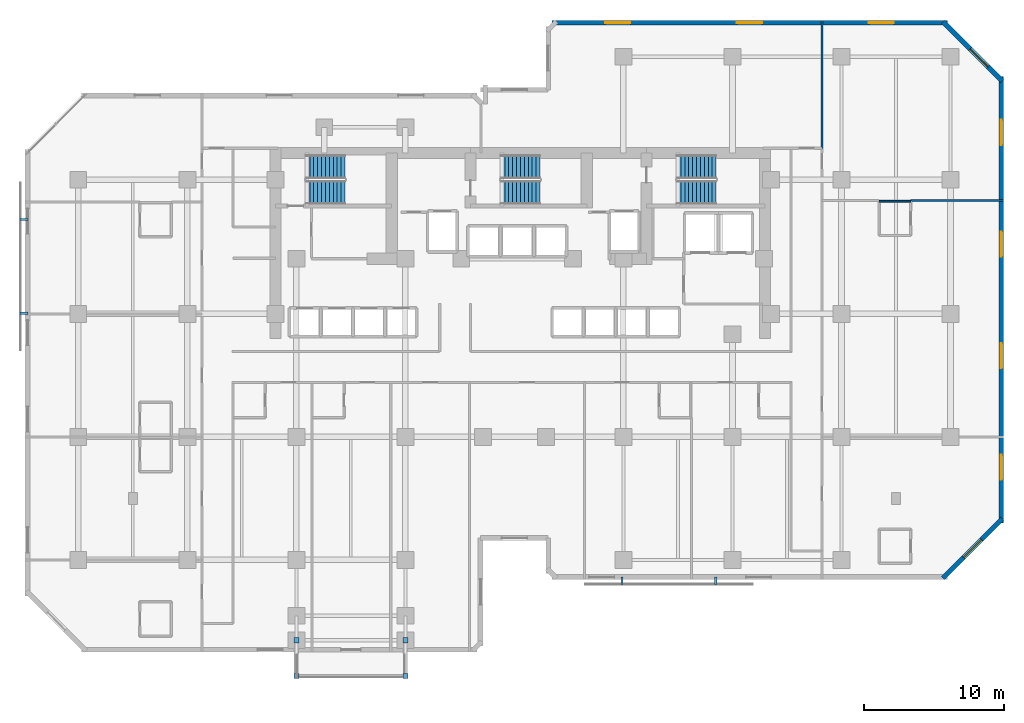
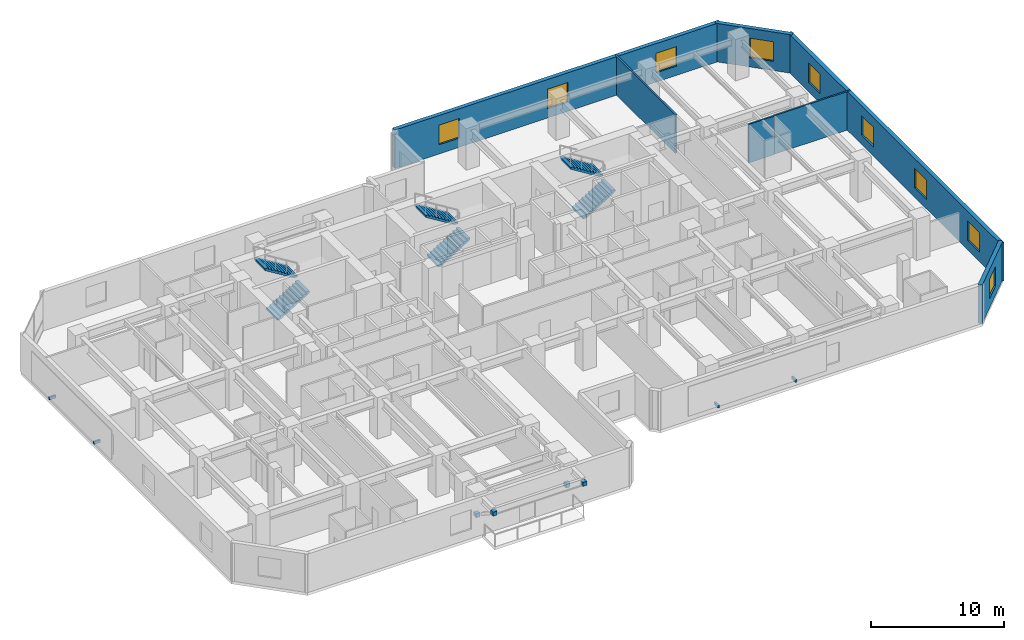
# One storey, part 10 of 12: 9 windows, 8 discrete accessories, 7 walls, 6 stair flights, 9 openings, 3 elements without a shape of their own.
"""IFC4 building model written with IfcOpenShell, lengths in metres."""

from ifc_helpers import new_model, si_unit, direction, frame, frame_2d, origin, origin_2d, place, context, subcontext, project, spatial, polyline, rectangle, outline, extrude, material, layer, layer_set, type_object, element, fill, aggregate, save


model = new_model("IFC4")

# Units and contexts
model_context = context("Model", 3, precision=1e-05, world=origin(), true_north=direction((0.0, 1.0)))
body_context = subcontext(model_context, "Body", "Model", "MODEL_VIEW")
ifc_project = project(units=[si_unit("LENGTHUNIT", "METRE"), si_unit("AREAUNIT", "SQUARE_METRE"), si_unit("VOLUMEUNIT", "CUBIC_METRE"), si_unit("PLANEANGLEUNIT", "RADIAN"), si_unit("MASSUNIT", "GRAM", prefix="KILO")], contexts=[model_context])

# Site, building, storey
site_placement = place(None, origin())
site = spatial("IfcSite", under=ifc_project, at=site_placement, CompositionType="ELEMENT")
building_placement = place(site_placement, origin())
building = spatial("IfcBuilding", under=site, at=building_placement, Name="Kestravale Grand Hotel", CompositionType="ELEMENT")
storey_placement = place(building_placement, frame((0.0, 0.0, 95.60009765625)))
storey = spatial("IfcBuildingStorey", under=building, at=storey_placement, Name="L23", CompositionType="ELEMENT", Elevation=95.60009765625)

# Wall, opening, window
ifc_material_1 = material(Name="Precast concrete f'c 45 MPa", Category="concrete")
ifc_layer_1 = layer(ifc_material_1, 0.340087890625)
ifc_layer_set_1 = layer_set([ifc_layer_1], Name="EW-PREC-340")
wall_type_1 = type_object("IfcWallType", Name="EW-PREC-340", PredefinedType="SOLIDWALL", material=ifc_layer_set_1)
wall_1_placement = place(storey_placement, frame((69.651611328125, 9.891845703125, 0.0), z_axis=(0.0, 0.0, 1.0), x_axis=(0.707106781187, 0.707106781187, 0.0)))
wall_1 = element("IfcWall", 1, at=wall_1_placement, inside=storey, type_object=wall_type_1, Name="L23 fluted precast facade wall 8", PredefinedType="SOLIDWALL", context=body_context, shape_type="SweptSolid", body=[
    extrude(rectangle(XDim=6.019775390625, YDim=0.340087890625, at=frame_2d((3.009765625, 0.0))), origin(), (0.0, 0.0, 1.0), 3.539794921875),
])
opening_1_placement = place(wall_1_placement, frame((2.10986328125, 0.0, 0.85009765625)))
opening_1 = element("IfcOpeningElement", 2, at=opening_1_placement, cuts=wall_1, Name="Opening W-GUEST-1800", PredefinedType="OPENING", context=body_context, shape_type="SweptSolid", body=[
    extrude(rectangle(XDim=1.800048828125, YDim=1.800048828125, at=frame_2d((0.89990234375, 0.89990234375))), frame((0.0, 0.179931640625, 0.0), z_axis=(0.0, -1.0, 0.0), x_axis=(1.0, 0.0, 0.0)), (0.0, 0.0, 1.0), 0.360107421875),
])
ifc_material_2 = material(Name="Insulated low-E double glazing in aluminium frame", Category="aluminium")
window_type = type_object("IfcWindowType", Name="W-GUEST-1800", PartitioningType="DOUBLE_PANEL_VERTICAL", PredefinedType="WINDOW", material=ifc_material_2)
window_1_placement = place(opening_1_placement, origin())
window_1 = element("IfcWindow", 3, at=window_1_placement, inside=storey, type_object=window_type, Name="L23 exterior window 8.1", OverallHeight=1.800048828125, OverallWidth=1.800048828125, PartitioningType="SINGLE_PANEL", PredefinedType="WINDOW", context=body_context, shape_type="SweptSolid", body=[
    extrude(rectangle(XDim=1.800048828125, YDim=1.800048828125, at=frame_2d((0.89990234375, 0.89990234375))), frame((0.0, 0.030029296875, 0.0), z_axis=(0.0, -1.0, 0.0), x_axis=(1.0, 0.0, 0.0)), (0.0, 0.0, 1.0), 0.06005859375),
])
fill(opening_1, window_1)

# Wall, openings, windows
wall_2_placement = place(storey_placement, frame((73.830078125, 13.830078125, 0.0), z_axis=(0.0, 0.0, 1.0), x_axis=(0.0, 1.0, 0.0)))
wall_2 = element("IfcWall", 4, at=wall_2_placement, inside=storey, type_object=wall_type_1, Name="L23 fluted precast facade wall 9", PredefinedType="SOLIDWALL", context=body_context, shape_type="SweptSolid", body=[
    extrude(rectangle(XDim=31.93994140625, YDim=0.340087890625, at=frame_2d((15.969970703125, 0.0))), origin(), (0.0, 0.0, 1.0), 3.539794921875),
])
opening_2_placement = place(wall_2_placement, frame((3.092529296875, 0.0, 0.85009765625)))
opening_2 = element("IfcOpeningElement", 5, at=opening_2_placement, cuts=wall_2, Name="Opening W-GUEST-1800", PredefinedType="OPENING", context=body_context, shape_type="SweptSolid", body=[
    extrude(rectangle(XDim=1.800048828125, YDim=1.800048828125, at=frame_2d((0.89990234375, 0.89990234375))), frame((0.0, 0.179931640625, 0.0), z_axis=(0.0, -1.0, 0.0), x_axis=(1.0, 0.0, 0.0)), (0.0, 0.0, 1.0), 0.360107421875),
])
opening_3_placement = place(wall_2_placement, frame((11.077392578125, 0.0, 0.85009765625)))
opening_3 = element("IfcOpeningElement", 6, at=opening_3_placement, cuts=wall_2, Name="Opening W-GUEST-1800", PredefinedType="OPENING", context=body_context, shape_type="SweptSolid", body=[
    extrude(rectangle(XDim=1.800048828125, YDim=1.800048828125, at=frame_2d((0.89990234375, 0.89990234375))), frame((0.0, 0.179931640625, 0.0), z_axis=(0.0, -1.0, 0.0), x_axis=(1.0, 0.0, 0.0)), (0.0, 0.0, 1.0), 0.360107421875),
])
opening_4_placement = place(wall_2_placement, frame((19.0625, 0.0, 0.85009765625)))
opening_4 = element("IfcOpeningElement", 7, at=opening_4_placement, cuts=wall_2, Name="Opening W-GUEST-1800", PredefinedType="OPENING", context=body_context, shape_type="SweptSolid", body=[
    extrude(rectangle(XDim=1.800048828125, YDim=1.800048828125, at=frame_2d((0.89990234375, 0.89990234375))), frame((0.0, 0.179931640625, 0.0), z_axis=(0.0, -1.0, 0.0), x_axis=(1.0, 0.0, 0.0)), (0.0, 0.0, 1.0), 0.360107421875),
])
opening_5_placement = place(wall_2_placement, frame((27.047607421875, 0.0, 0.85009765625)))
opening_5 = element("IfcOpeningElement", 8, at=opening_5_placement, cuts=wall_2, Name="Opening W-GUEST-1800", PredefinedType="OPENING", context=body_context, shape_type="SweptSolid", body=[
    extrude(rectangle(XDim=1.800048828125, YDim=1.800048828125, at=frame_2d((0.89990234375, 0.89990234375))), frame((0.0, 0.179931640625, 0.0), z_axis=(0.0, -1.0, 0.0), x_axis=(1.0, 0.0, 0.0)), (0.0, 0.0, 1.0), 0.360107421875),
])
window_2_placement = place(opening_2_placement, origin())
window_2 = element("IfcWindow", 9, at=window_2_placement, inside=storey, type_object=window_type, Name="L23 exterior window 9.1", OverallHeight=1.800048828125, OverallWidth=1.800048828125, PartitioningType="SINGLE_PANEL", PredefinedType="WINDOW", context=body_context, shape_type="SweptSolid", body=[
    extrude(rectangle(XDim=1.800048828125, YDim=1.800048828125, at=frame_2d((0.89990234375, 0.89990234375))), frame((0.0, 0.030029296875, 0.0), z_axis=(0.0, -1.0, 0.0), x_axis=(1.0, 0.0, 0.0)), (0.0, 0.0, 1.0), 0.06005859375),
])
fill(opening_2, window_2)
window_3_placement = place(opening_3_placement, origin())
window_3 = element("IfcWindow", 10, at=window_3_placement, inside=storey, type_object=window_type, Name="L23 exterior window 9.2", OverallHeight=1.800048828125, OverallWidth=1.800048828125, PartitioningType="SINGLE_PANEL", PredefinedType="WINDOW", context=body_context, shape_type="SweptSolid", body=[
    extrude(rectangle(XDim=1.800048828125, YDim=1.800048828125, at=frame_2d((0.89990234375, 0.89990234375))), frame((0.0, 0.030029296875, 0.0), z_axis=(0.0, -1.0, 0.0), x_axis=(1.0, 0.0, 0.0)), (0.0, 0.0, 1.0), 0.06005859375),
])
fill(opening_3, window_3)
window_4_placement = place(opening_4_placement, origin())
window_4 = element("IfcWindow", 11, at=window_4_placement, inside=storey, type_object=window_type, Name="L23 exterior window 9.3", OverallHeight=1.800048828125, OverallWidth=1.800048828125, PartitioningType="SINGLE_PANEL", PredefinedType="WINDOW", context=body_context, shape_type="SweptSolid", body=[
    extrude(rectangle(XDim=1.800048828125, YDim=1.800048828125, at=frame_2d((0.89990234375, 0.89990234375))), frame((0.0, 0.030029296875, 0.0), z_axis=(0.0, -1.0, 0.0), x_axis=(1.0, 0.0, 0.0)), (0.0, 0.0, 1.0), 0.06005859375),
])
fill(opening_4, window_4)
window_5_placement = place(opening_5_placement, origin())
window_5 = element("IfcWindow", 12, at=window_5_placement, inside=storey, type_object=window_type, Name="L23 exterior window 9.4", OverallHeight=1.800048828125, OverallWidth=1.800048828125, PartitioningType="SINGLE_PANEL", PredefinedType="WINDOW", context=body_context, shape_type="SweptSolid", body=[
    extrude(rectangle(XDim=1.800048828125, YDim=1.800048828125, at=frame_2d((0.89990234375, 0.89990234375))), frame((0.0, 0.030029296875, 0.0), z_axis=(0.0, -1.0, 0.0), x_axis=(1.0, 0.0, 0.0)), (0.0, 0.0, 1.0), 0.06005859375),
])
fill(opening_5, window_5)

# Wall, opening, window
wall_3_placement = place(storey_placement, frame((73.908203125, 45.451416015625, 0.0), z_axis=(0.0, 0.0, 1.0), x_axis=(-0.707106781187, 0.707106781187, 0.0)))
wall_3 = element("IfcWall", 13, at=wall_3_placement, inside=storey, type_object=wall_type_1, Name="L23 fluted precast facade wall 10", PredefinedType="SOLIDWALL", context=body_context, shape_type="SweptSolid", body=[
    extrude(rectangle(XDim=6.019775390625, YDim=0.340087890625, at=frame_2d((3.009765625, 0.0))), origin(), (0.0, 0.0, 1.0), 3.539794921875),
])
opening_6_placement = place(wall_3_placement, frame((1.4599609375, 0.0, 0.85009765625)))
opening_6 = element("IfcOpeningElement", 14, at=opening_6_placement, cuts=wall_3, Name="Opening W-GUEST-1800", PredefinedType="OPENING", context=body_context, shape_type="SweptSolid", body=[
    extrude(rectangle(XDim=1.800048828125, YDim=1.800048828125, at=frame_2d((0.89990234375, 0.89990234375))), frame((0.0, 0.179931640625, 0.0), z_axis=(0.0, -1.0, 0.0), x_axis=(1.0, 0.0, 0.0)), (0.0, 0.0, 1.0), 0.360107421875),
])
window_6_placement = place(opening_6_placement, origin())
window_6 = element("IfcWindow", 15, at=window_6_placement, inside=storey, type_object=window_type, Name="L23 exterior window 10.1", OverallHeight=1.800048828125, OverallWidth=1.800048828125, PartitioningType="SINGLE_PANEL", PredefinedType="WINDOW", context=body_context, shape_type="SweptSolid", body=[
    extrude(rectangle(XDim=1.800048828125, YDim=1.800048828125, at=frame_2d((0.89990234375, 0.89990234375))), frame((0.0, 0.030029296875, 0.0), z_axis=(0.0, -1.0, 0.0), x_axis=(1.0, 0.0, 0.0)), (0.0, 0.0, 1.0), 0.06005859375),
])
fill(opening_6, window_6)

# Wall, openings, windows
wall_4_placement = place(storey_placement, frame((69.969970703125, 49.6298828125, 0.0), z_axis=(0.0, 0.0, 1.0), x_axis=(-1.0, 0.0, 0.0)))
wall_4 = element("IfcWall", 16, at=wall_4_placement, inside=storey, type_object=wall_type_1, Name="L23 fluted precast facade wall 11", PredefinedType="SOLIDWALL", context=body_context, shape_type="SweptSolid", body=[
    extrude(rectangle(XDim=28.2900390625, YDim=0.340087890625, at=frame_2d((14.14501953125, 0.0))), origin(), (0.0, 0.0, 1.0), 3.539794921875),
])
opening_7_placement = place(wall_4_placement, frame((3.81494140625, 0.0, 0.85009765625)))
opening_7 = element("IfcOpeningElement", 17, at=opening_7_placement, cuts=wall_4, Name="Opening W-GUEST-1800", PredefinedType="OPENING", context=body_context, shape_type="SweptSolid", body=[
    extrude(rectangle(XDim=1.800048828125, YDim=1.800048828125, at=frame_2d((0.89990234375, 0.89990234375))), frame((0.0, 0.179931640625, 0.0), z_axis=(0.0, -1.0, 0.0), x_axis=(1.0, 0.0, 0.0)), (0.0, 0.0, 1.0), 0.360107421875),
])
opening_8_placement = place(wall_4_placement, frame((13.2451171875, 0.0, 0.85009765625)))
opening_8 = element("IfcOpeningElement", 18, at=opening_8_placement, cuts=wall_4, Name="Opening W-GUEST-1800", PredefinedType="OPENING", context=body_context, shape_type="SweptSolid", body=[
    extrude(rectangle(XDim=1.800048828125, YDim=1.800048828125, at=frame_2d((0.89990234375, 0.89990234375))), frame((0.0, 0.179931640625, 0.0), z_axis=(0.0, -1.0, 0.0), x_axis=(1.0, 0.0, 0.0)), (0.0, 0.0, 1.0), 0.360107421875),
])
opening_9_placement = place(wall_4_placement, frame((22.675048828125, 0.0, 0.85009765625)))
opening_9 = element("IfcOpeningElement", 19, at=opening_9_placement, cuts=wall_4, Name="Opening W-GUEST-1800", PredefinedType="OPENING", context=body_context, shape_type="SweptSolid", body=[
    extrude(rectangle(XDim=1.800048828125, YDim=1.800048828125, at=frame_2d((0.89990234375, 0.89990234375))), frame((0.0, 0.179931640625, 0.0), z_axis=(0.0, -1.0, 0.0), x_axis=(1.0, 0.0, 0.0)), (0.0, 0.0, 1.0), 0.360107421875),
])
window_7_placement = place(opening_7_placement, origin())
window_7 = element("IfcWindow", 20, at=window_7_placement, inside=storey, type_object=window_type, Name="L23 exterior window 11.1", OverallHeight=1.800048828125, OverallWidth=1.800048828125, PartitioningType="SINGLE_PANEL", PredefinedType="WINDOW", context=body_context, shape_type="SweptSolid", body=[
    extrude(rectangle(XDim=1.800048828125, YDim=1.800048828125, at=frame_2d((0.89990234375, 0.89990234375))), frame((0.0, 0.030029296875, 0.0), z_axis=(0.0, -1.0, 0.0), x_axis=(1.0, 0.0, 0.0)), (0.0, 0.0, 1.0), 0.06005859375),
])
fill(opening_7, window_7)
window_8_placement = place(opening_8_placement, origin())
window_8 = element("IfcWindow", 21, at=window_8_placement, inside=storey, type_object=window_type, Name="L23 exterior window 11.2", OverallHeight=1.800048828125, OverallWidth=1.800048828125, PartitioningType="SINGLE_PANEL", PredefinedType="WINDOW", context=body_context, shape_type="SweptSolid", body=[
    extrude(rectangle(XDim=1.800048828125, YDim=1.800048828125, at=frame_2d((0.89990234375, 0.89990234375))), frame((0.0, 0.030029296875, 0.0), z_axis=(0.0, -1.0, 0.0), x_axis=(1.0, 0.0, 0.0)), (0.0, 0.0, 1.0), 0.06005859375),
])
fill(opening_8, window_8)
window_9_placement = place(opening_9_placement, origin())
window_9 = element("IfcWindow", 22, at=window_9_placement, inside=storey, type_object=window_type, Name="L23 exterior window 11.3", OverallHeight=1.800048828125, OverallWidth=1.800048828125, PartitioningType="SINGLE_PANEL", PredefinedType="WINDOW", context=body_context, shape_type="SweptSolid", body=[
    extrude(rectangle(XDim=1.800048828125, YDim=1.800048828125, at=frame_2d((0.89990234375, 0.89990234375))), frame((0.0, 0.030029296875, 0.0), z_axis=(0.0, -1.0, 0.0), x_axis=(1.0, 0.0, 0.0)), (0.0, 0.0, 1.0), 0.06005859375),
])
fill(opening_9, window_9)

# Walls
ifc_material_3 = material(Name="Moisture-resistant tile-backer plumbing chase wall", Category="other")
ifc_layer_2 = layer(ifc_material_3, 0.139892578125)
ifc_layer_set_2 = layer_set([ifc_layer_2], Name="IW-PLB-140")
wall_type_2 = type_object("IfcWallType", Name="IW-PLB-140", PredefinedType="PLUMBINGWALL", material=ifc_layer_set_2)
wall_5_placement = place(storey_placement, frame((65.10009765625, 36.860107421875, 0.0), z_axis=(0.0, 0.0, 1.0), x_axis=(1.0, 0.0, 0.0)))
element("IfcWall", 23, at=wall_5_placement, inside=storey, type_object=wall_type_2, Name="W-L23-U10-BN", PredefinedType="PLUMBINGWALL", context=body_context, shape_type="SweptSolid", body=[
    extrude(rectangle(XDim=2.25, YDim=0.139892578125, at=frame_2d((1.125, 0.0))), origin(), (0.0, 0.0, 1.0), 3.539794921875),
])
ifc_material_4 = material(Name="Double-stud STC 52 acoustic demising partition", Category="other")
ifc_layer_3 = layer(ifc_material_4, 0.14990234375)
ifc_layer_set_3 = layer_set([ifc_layer_3], Name="IW-UNIT-150")
wall_type_3 = type_object("IfcWallType", Name="IW-UNIT-150", PredefinedType="PARTITIONING", material=ifc_layer_set_3)
wall_6_placement = place(storey_placement, frame((61.010009765625, 40.64990234375, 0.0), z_axis=(0.0, 0.0, 1.0), x_axis=(0.0, 1.0, 0.0)))
element("IfcWall", 24, at=wall_6_placement, inside=storey, type_object=wall_type_3, Name="W-L23-NGE-E", PredefinedType="PARTITIONING", context=body_context, shape_type="SweptSolid", body=[
    extrude(rectangle(XDim=9.130126953125, YDim=0.14990234375, at=frame_2d((4.56494140625, 0.0))), origin(), (0.0, 0.0, 1.0), 3.539794921875),
])
wall_7_placement = place(storey_placement, frame((67.35009765625, 36.89990234375, 0.0), z_axis=(0.0, 0.0, 1.0), x_axis=(1.0, 0.0, 0.0)))
element("IfcWall", 25, at=wall_7_placement, inside=storey, type_object=wall_type_3, Name="W-L23-EW-2", PredefinedType="PARTITIONING", context=body_context, shape_type="SweptSolid", body=[
    extrude(rectangle(XDim=6.6298828125, YDim=0.14990234375, at=frame_2d((3.31494140625, 0.0))), origin(), (0.0, 0.0, 1.0), 3.539794921875),
])

# Stair, stair flights
ifc_material_5 = material(Name="Concrete f'c 45 MPa", Category="concrete")
stair_type = type_object("IfcStairType", Name="ST-CORE-380", PredefinedType="HALF_TURN_STAIR", material=ifc_material_5)
stair_1_placement = place(storey_placement, origin())
stair_1 = element("IfcStair", 26, at=stair_1_placement, inside=storey, type_object=stair_type, Name="L23 ST-1", PredefinedType="HALF_TURN_STAIR")
ifc_material_6 = material(Name="Concrete f'c 45 MPa", Category="concrete")
stair_flight_type = type_object("IfcStairFlightType", Name="STF-CORE-380", PredefinedType="STRAIGHT", material=ifc_material_6)
stair_flight_1_placement = place(storey_placement, frame((24.080078125, 37.489990234375, 0.0), z_axis=(0.0, 0.0, 1.0), x_axis=(1.0, 0.0, 0.0)))
stair_flight_1 = element("IfcStairFlight", 27, at=stair_flight_1_placement, type_object=stair_flight_type, Name="ST-1 flight 1", NumberOfRisers=11, NumberOfTreads=10, PredefinedType="STRAIGHT", RiserHeight=0.172727273, TreadLength=0.28, context=body_context, shape_type="SweptSolid", body=[
    extrude(outline(polyline([(0.0, 0.0), (0.0, 0.172607421875), (0.280029296875, 0.172607421875), (0.280029296875, 0.345458984375), (0.56005859375, 0.345458984375), (0.56005859375, 0.51806640625), (0.840087890625, 0.51806640625), (0.840087890625, 0.69091796875), (1.1201171875, 0.69091796875), (1.1201171875, 0.863525390625), (1.39990234375, 0.863525390625), (1.39990234375, 1.036376953125), (1.679931640625, 1.036376953125), (1.679931640625, 1.208984375), (1.9599609375, 1.208984375), (1.9599609375, 1.3818359375), (2.239990234375, 1.3818359375), (2.239990234375, 1.554443359375), (2.52001953125, 1.554443359375), (2.52001953125, 1.727294921875), (2.800048828125, 1.727294921875), (2.800048828125, 1.89990234375), (2.800048828125, 1.551025390625), (0.285400390625, 0.0), (0.0, 0.0)])), frame((0.0, 0.83984375, 0.0), z_axis=(0.0, -1.0, 0.0), x_axis=(1.0, 0.0, 0.0)), (0.0, 0.0, 1.0), 1.679931640625),
])
stair_flight_2_placement = place(storey_placement, frame((26.8798828125, 39.320068359375, 1.89990234375), z_axis=(0.0, 0.0, 1.0), x_axis=(-1.0, 0.0, 0.0)))
stair_flight_2 = element("IfcStairFlight", 28, at=stair_flight_2_placement, type_object=stair_flight_type, Name="ST-1 flight 2", NumberOfRisers=11, NumberOfTreads=10, PredefinedType="STRAIGHT", RiserHeight=0.172727273, TreadLength=0.28, context=body_context, shape_type="SweptSolid", body=[
    extrude(outline(polyline([(0.0, 0.0), (0.0, 0.172607421875), (0.280029296875, 0.172607421875), (0.280029296875, 0.345458984375), (0.56005859375, 0.345458984375), (0.56005859375, 0.51806640625), (0.840087890625, 0.51806640625), (0.840087890625, 0.69091796875), (1.1201171875, 0.69091796875), (1.1201171875, 0.863525390625), (1.39990234375, 0.863525390625), (1.39990234375, 1.036376953125), (1.679931640625, 1.036376953125), (1.679931640625, 1.208984375), (1.9599609375, 1.208984375), (1.9599609375, 1.3818359375), (2.239990234375, 1.3818359375), (2.239990234375, 1.554443359375), (2.52001953125, 1.554443359375), (2.52001953125, 1.727294921875), (2.800048828125, 1.727294921875), (2.800048828125, 1.89990234375), (2.800048828125, 1.551025390625), (0.285400390625, 0.0), (0.0, 0.0)])), frame((0.0, 0.83984375, 0.0), z_axis=(0.0, -1.0, 0.0), x_axis=(1.0, 0.0, 0.0)), (0.0, 0.0, 1.0), 1.679931640625),
])
aggregate(stair_1, [stair_flight_1, stair_flight_2])

stair_2_placement = place(storey_placement, origin())
stair_2 = element("IfcStair", 29, at=stair_2_placement, inside=storey, type_object=stair_type, Name="L23 ST-2", PredefinedType="HALF_TURN_STAIR")
stair_flight_3_placement = place(storey_placement, frame((38.030029296875, 37.489990234375, 0.0), z_axis=(0.0, 0.0, 1.0), x_axis=(1.0, 0.0, 0.0)))
stair_flight_3 = element("IfcStairFlight", 30, at=stair_flight_3_placement, type_object=stair_flight_type, Name="ST-2 flight 1", NumberOfRisers=11, NumberOfTreads=10, PredefinedType="STRAIGHT", RiserHeight=0.172727273, TreadLength=0.28, context=body_context, shape_type="SweptSolid", body=[
    extrude(outline(polyline([(0.0, 0.0), (0.0, 0.172607421875), (0.280029296875, 0.172607421875), (0.280029296875, 0.345458984375), (0.56005859375, 0.345458984375), (0.56005859375, 0.51806640625), (0.840087890625, 0.51806640625), (0.840087890625, 0.69091796875), (1.1201171875, 0.69091796875), (1.1201171875, 0.863525390625), (1.39990234375, 0.863525390625), (1.39990234375, 1.036376953125), (1.679931640625, 1.036376953125), (1.679931640625, 1.208984375), (1.9599609375, 1.208984375), (1.9599609375, 1.3818359375), (2.239990234375, 1.3818359375), (2.239990234375, 1.554443359375), (2.52001953125, 1.554443359375), (2.52001953125, 1.727294921875), (2.800048828125, 1.727294921875), (2.800048828125, 1.89990234375), (2.800048828125, 1.551025390625), (0.285400390625, 0.0), (0.0, 0.0)])), frame((0.0, 0.83984375, 0.0), z_axis=(0.0, -1.0, 0.0), x_axis=(1.0, 0.0, 0.0)), (0.0, 0.0, 1.0), 1.679931640625),
])
stair_flight_4_placement = place(storey_placement, frame((40.830078125, 39.320068359375, 1.89990234375), z_axis=(0.0, 0.0, 1.0), x_axis=(-1.0, 0.0, 0.0)))
stair_flight_4 = element("IfcStairFlight", 31, at=stair_flight_4_placement, type_object=stair_flight_type, Name="ST-2 flight 2", NumberOfRisers=11, NumberOfTreads=10, PredefinedType="STRAIGHT", RiserHeight=0.172727273, TreadLength=0.28, context=body_context, shape_type="SweptSolid", body=[
    extrude(outline(polyline([(0.0, 0.0), (0.0, 0.172607421875), (0.280029296875, 0.172607421875), (0.280029296875, 0.345458984375), (0.56005859375, 0.345458984375), (0.56005859375, 0.51806640625), (0.840087890625, 0.51806640625), (0.840087890625, 0.69091796875), (1.1201171875, 0.69091796875), (1.1201171875, 0.863525390625), (1.39990234375, 0.863525390625), (1.39990234375, 1.036376953125), (1.679931640625, 1.036376953125), (1.679931640625, 1.208984375), (1.9599609375, 1.208984375), (1.9599609375, 1.3818359375), (2.239990234375, 1.3818359375), (2.239990234375, 1.554443359375), (2.52001953125, 1.554443359375), (2.52001953125, 1.727294921875), (2.800048828125, 1.727294921875), (2.800048828125, 1.89990234375), (2.800048828125, 1.551025390625), (0.285400390625, 0.0), (0.0, 0.0)])), frame((0.0, 0.83984375, 0.0), z_axis=(0.0, -1.0, 0.0), x_axis=(1.0, 0.0, 0.0)), (0.0, 0.0, 1.0), 1.679931640625),
])
aggregate(stair_2, [stair_flight_3, stair_flight_4])

stair_3_placement = place(storey_placement, origin())
stair_3 = element("IfcStair", 32, at=stair_3_placement, inside=storey, type_object=stair_type, Name="L23 ST-3", PredefinedType="HALF_TURN_STAIR")
stair_flight_5_placement = place(storey_placement, frame((50.6298828125, 37.489990234375, 0.0), z_axis=(0.0, 0.0, 1.0), x_axis=(1.0, 0.0, 0.0)))
stair_flight_5 = element("IfcStairFlight", 33, at=stair_flight_5_placement, type_object=stair_flight_type, Name="ST-3 flight 1", NumberOfRisers=11, NumberOfTreads=10, PredefinedType="STRAIGHT", RiserHeight=0.172727273, TreadLength=0.28, context=body_context, shape_type="SweptSolid", body=[
    extrude(outline(polyline([(0.0, 0.0), (0.0, 0.172607421875), (0.280029296875, 0.172607421875), (0.280029296875, 0.345458984375), (0.56005859375, 0.345458984375), (0.56005859375, 0.51806640625), (0.840087890625, 0.51806640625), (0.840087890625, 0.69091796875), (1.1201171875, 0.69091796875), (1.1201171875, 0.863525390625), (1.39990234375, 0.863525390625), (1.39990234375, 1.036376953125), (1.679931640625, 1.036376953125), (1.679931640625, 1.208984375), (1.9599609375, 1.208984375), (1.9599609375, 1.3818359375), (2.239990234375, 1.3818359375), (2.239990234375, 1.554443359375), (2.52001953125, 1.554443359375), (2.52001953125, 1.727294921875), (2.800048828125, 1.727294921875), (2.800048828125, 1.89990234375), (2.800048828125, 1.551025390625), (0.285400390625, 0.0), (0.0, 0.0)])), frame((0.0, 0.83984375, 0.0), z_axis=(0.0, -1.0, 0.0), x_axis=(1.0, 0.0, 0.0)), (0.0, 0.0, 1.0), 1.679931640625),
])
stair_flight_6_placement = place(storey_placement, frame((53.429931640625, 39.320068359375, 1.89990234375), z_axis=(0.0, 0.0, 1.0), x_axis=(-1.0, 0.0, 0.0)))
stair_flight_6 = element("IfcStairFlight", 34, at=stair_flight_6_placement, type_object=stair_flight_type, Name="ST-3 flight 2", NumberOfRisers=11, NumberOfTreads=10, PredefinedType="STRAIGHT", RiserHeight=0.172727273, TreadLength=0.28, context=body_context, shape_type="SweptSolid", body=[
    extrude(outline(polyline([(0.0, 0.0), (0.0, 0.172607421875), (0.280029296875, 0.172607421875), (0.280029296875, 0.345458984375), (0.56005859375, 0.345458984375), (0.56005859375, 0.51806640625), (0.840087890625, 0.51806640625), (0.840087890625, 0.69091796875), (1.1201171875, 0.69091796875), (1.1201171875, 0.863525390625), (1.39990234375, 0.863525390625), (1.39990234375, 1.036376953125), (1.679931640625, 1.036376953125), (1.679931640625, 1.208984375), (1.9599609375, 1.208984375), (1.9599609375, 1.3818359375), (2.239990234375, 1.3818359375), (2.239990234375, 1.554443359375), (2.52001953125, 1.554443359375), (2.52001953125, 1.727294921875), (2.800048828125, 1.727294921875), (2.800048828125, 1.89990234375), (2.800048828125, 1.551025390625), (0.285400390625, 0.0), (0.0, 0.0)])), frame((0.0, 0.83984375, 0.0), z_axis=(0.0, -1.0, 0.0), x_axis=(1.0, 0.0, 0.0)), (0.0, 0.0, 1.0), 1.679931640625),
])
aggregate(stair_3, [stair_flight_5, stair_flight_6])

# Discrete accessories
ifc_material_7 = material(Name="Steel ASTM A572 Grade 50 hot-dip galvanised bracket", Category="steel")
discrete_accessory_type = type_object("IfcDiscreteAccessoryType", Name="ACC-BRK-STL", PredefinedType="BRACKET", material=ifc_material_7)
for number, where, z_axis, x_axis, name in (
    (35, (23.39990234375, 5.449951171875, 1.19384765625), (0.0, 0.0, 1.0), (1.0, 0.0, 0.0), "L24 terrace strut column bracket 1"),
    (36, (23.39990234375, 2.89990234375, 2.89404296875), (0.0, 0.0, 1.0), (1.0, 0.0, 0.0), "L24 terrace strut beam bracket 1"),
    (37, (31.199951171875, 5.449951171875, 1.19384765625), (0.0, 0.0, 1.0), (1.0, 0.0, 0.0), "L24 terrace strut column bracket 2"),
    (38, (31.199951171875, 2.89990234375, 2.89404296875), (0.0, 0.0, 1.0), (1.0, 0.0, 0.0), "L24 terrace strut beam bracket 2"),
):
    element("IfcDiscreteAccessory", number, at=place(storey_placement, frame(where, z_axis=z_axis, x_axis=x_axis)), inside=storey, type_object=discrete_accessory_type, Name=name, PredefinedType="BRACKET", context=body_context, shape_type="SweptSolid", body=[
        extrude(rectangle(XDim=0.360107421875, YDim=0.360107421875, at=origin_2d()), origin(), (0.0, 0.0, 1.0), 0.360107421875),
    ])
for number, where, z_axis, x_axis, name in (
    (39, (46.68994140625, 9.705078125, 0.56005859375), (0.0, 0.0, 1.0), (1.0, 0.0, 0.0), "L23 solar screen standoff bracket 1"),
    (40, (53.409912109375, 9.705078125, 0.56005859375), (0.0, 0.0, 1.0), (1.0, 0.0, 0.0), "L23 solar screen standoff bracket 2"),
    (41, (3.905029296875, 35.56005859375, 0.56005859375), (0.0, 0.0, 1.0), (0.0, -1.0, 0.0), "L23 solar screen standoff bracket 1"),
    (42, (3.905029296875, 28.840087890625, 0.56005859375), (0.0, 0.0, 1.0), (0.0, -1.0, 0.0), "L23 solar screen standoff bracket 2"),
):
    element("IfcDiscreteAccessory", number, at=place(storey_placement, frame(where, z_axis=z_axis, x_axis=x_axis)), inside=storey, type_object=discrete_accessory_type, Name=name, PredefinedType="BRACKET", context=body_context, shape_type="SweptSolid", body=[
        extrude(rectangle(XDim=0.159912109375, YDim=0.56005859375, at=origin_2d()), origin(), (0.0, 0.0, 1.0), 0.239990234375),
    ])

save(model, "model.ifc")
